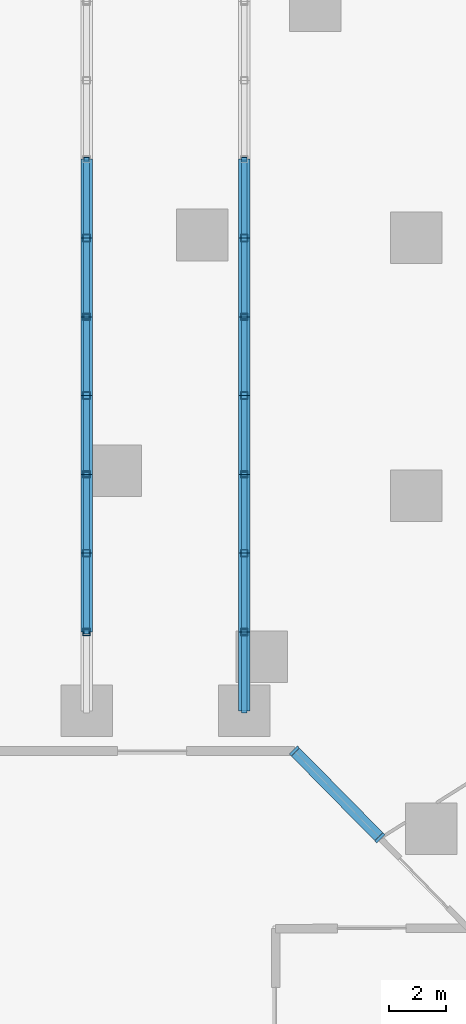
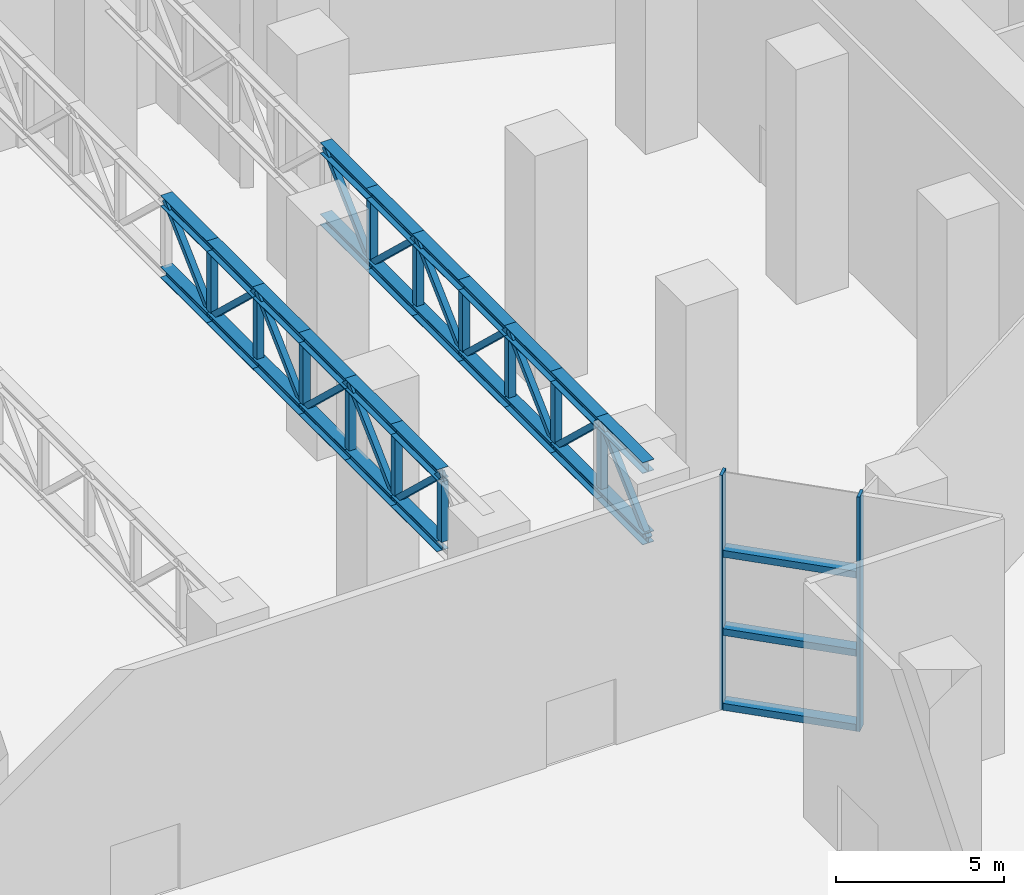
# One storey, part 10 of 40: 56 members, 1 element without a shape of its own.
"""IFC4 building model written with IfcOpenShell, lengths in metres."""

import ifcopenshell
import ifcopenshell.guid

model = None  # the IFC model being written
_history = None  # IfcOwnerHistory: only IFC2X3 demands one
_inside = {}  # id of a spatial element -> (the spatial element, [elements in it])
_under = {}  # id of a project, library or spatial element -> (it, [spatial elements below it])
_declared = {}  # id of a project -> (the project, [libraries it declares])
_typed = {}  # id of a type object -> (the type object, [elements of that type])
_made_of = {}  # id of a material, layer set ... -> (it, [elements and type objects made of it])


def new_model(schema):
    """Start an empty IFC model of exactly this schema.

    Asked for "IFC4X3", IfcOpenShell would pick the latest addendum, in which some entities
    have other attributes; the version numbers below select the first issue.
    IFC2X3 requires an IfcOwnerHistory on every rooted entity: one is made here for all.
    """
    global model, _history
    if schema == "IFC4X3":
        model = ifcopenshell.file(schema_version=(4, 3, 0, 0))
    else:
        model = ifcopenshell.file(schema=schema)
    _inside.clear()
    _under.clear()
    _declared.clear()
    _typed.clear()
    _made_of.clear()
    _history = None
    if model.schema == "IFC2X3":
        org = make("IfcOrganization", Name="unknown")
        user = make(
            "IfcPersonAndOrganization",
            ThePerson=make("IfcPerson", FamilyName="unknown"),
            TheOrganization=org,
        )
        app = make(
            "IfcApplication",
            ApplicationDeveloper=org,
            Version="unknown",
            ApplicationFullName="unknown",
            ApplicationIdentifier="unknown",
        )
        _history = make(
            "IfcOwnerHistory",
            OwningUser=user,
            OwningApplication=app,
            ChangeAction="ADDED",
            CreationDate=0,
        )
    return model


def make(cls, **values):
    """One entity of the class cls with the attributes given. An attribute that is None is left unset."""
    return model.create_entity(
        cls, **{name: value for name, value in values.items() if value is not None}
    )


def rooted(cls, **values):
    """An entity with a GlobalId (a new one), such as an element, a storey or a relation."""
    return make(cls, GlobalId=ifcopenshell.guid.new(), OwnerHistory=_history, **values)


def si_unit(unit_type, name, prefix=None):
    """IfcSIUnit, for example si_unit("LENGTHUNIT", "METRE", prefix="MILLI")."""
    return make("IfcSIUnit", UnitType=unit_type, Prefix=prefix, Name=name)


def assignment(units):
    """IfcUnitAssignment: the units of a project."""
    return None if units is None else make("IfcUnitAssignment", Units=units)


def point(xyz):
    """IfcCartesianPoint."""
    return None if xyz is None else make("IfcCartesianPoint", Coordinates=xyz)


def direction(xyz):
    """IfcDirection."""
    return None if xyz is None else make("IfcDirection", DirectionRatios=xyz)


def frame(location, z_axis=None, x_axis=None):
    """IfcAxis2Placement3D, a coordinate frame: its origin and axes. An axis left out is left unset."""
    return make(
        "IfcAxis2Placement3D",
        Location=point(location),
        Axis=direction(z_axis),
        RefDirection=direction(x_axis),
    )


def frame_2d(location, x_axis=None):
    """IfcAxis2Placement2D, a coordinate frame in the plane: its origin and x axis."""
    return make(
        "IfcAxis2Placement2D", Location=point(location), RefDirection=direction(x_axis)
    )


def origin():
    """The frame at (0, 0, 0) with its axes left unset."""
    return frame((0.0, 0.0, 0.0))


def origin_2d():
    """The frame at (0, 0) in the plane with its x axis left unset."""
    return frame_2d((0.0, 0.0))


def place(relative_to, where):
    """IfcLocalPlacement: puts the frame where relative to a parent placement (None: the world)."""
    return make(
        "IfcLocalPlacement", PlacementRelTo=relative_to, RelativePlacement=where
    )


def context(
    kind, dimensions, precision=None, world=None, true_north=None, identifier=None
):
    """IfcGeometricRepresentationContext, for example the 3D "Model" context."""
    return make(
        "IfcGeometricRepresentationContext",
        ContextIdentifier=identifier,
        ContextType=kind,
        CoordinateSpaceDimension=dimensions,
        Precision=precision,
        WorldCoordinateSystem=world,
        TrueNorth=true_north,
    )


def subcontext(parent, identifier, kind, view, scale=None):
    """IfcGeometricRepresentationSubContext, for example "Body" below "Model"."""
    return make(
        "IfcGeometricRepresentationSubContext",
        ContextIdentifier=identifier,
        ContextType=kind,
        ParentContext=parent,
        TargetScale=scale,
        TargetView=view,
    )


def project(units=None, contexts=None):
    """IfcProject with its units and contexts."""
    return rooted(
        "IfcProject",
        Name="project",
        RepresentationContexts=contexts,
        UnitsInContext=assignment(units),
    )


def spatial(cls, under=None, at=None, **own):
    """A site, building, storey or space (cls), placed at a placement, below another one or the project."""
    s = rooted(cls, ObjectPlacement=at, **own)
    if under is not None:
        _under.setdefault(under.id(), (under, []))[1].append(s)
    return s


def profile(cls, at=None, kind="AREA", **sizes):
    """A parametric profile (cls). Its sizes go by their IFC names, for example OverallWidth=200.0."""
    return make(cls, ProfileType=kind, Position=at, **sizes)


def rectangle(**sizes):
    """IfcRectangleProfileDef."""
    return profile("IfcRectangleProfileDef", **sizes)


def hollow_rectangle(**sizes):
    """IfcRectangleHollowProfileDef."""
    return profile("IfcRectangleHollowProfileDef", **sizes)


def i_section(**sizes):
    """IfcIShapeProfileDef."""
    return profile("IfcIShapeProfileDef", **sizes)


def extrude(swept, where, along, depth):
    """IfcExtrudedAreaSolid: the profile swept, set in the frame where, extruded along a direction by depth."""
    return make(
        "IfcExtrudedAreaSolid",
        SweptArea=swept,
        Position=where,
        ExtrudedDirection=direction(along),
        Depth=depth,
    )


def shape(context_of_items, identifier, shape_type, items):
    """IfcShapeRepresentation: the items that make up one representation, for example the "Body"."""
    return make(
        "IfcShapeRepresentation",
        ContextOfItems=context_of_items,
        RepresentationIdentifier=identifier,
        RepresentationType=shape_type,
        Items=items,
    )


def material(Name=None, Category=None):
    """IfcMaterial."""
    return make("IfcMaterial", Name=Name, Category=Category)


def layer(
    of_material, thickness, ventilated=None, Name=None, Category=None, Priority=None
):
    """IfcMaterialLayer: one layer of a wall or slab, of a material (None: an air gap)."""
    return make(
        "IfcMaterialLayer",
        Material=of_material,
        LayerThickness=thickness,
        IsVentilated=ventilated,
        Name=Name,
        Category=Category,
        Priority=Priority,
    )


def layer_set(layers, Name=None):
    """IfcMaterialLayerSet."""
    return make("IfcMaterialLayerSet", MaterialLayers=layers, LayerSetName=Name)


def material_profile(
    of_material, cross_section, Name=None, Category=None, Priority=None
):
    """IfcMaterialProfile: a cross section and its material."""
    return make(
        "IfcMaterialProfile",
        Name=Name,
        Material=of_material,
        Profile=cross_section,
        Priority=Priority,
        Category=Category,
    )


def profile_set(profiles, Name=None, composite=None):
    """IfcMaterialProfileSet."""
    return make(
        "IfcMaterialProfileSet",
        Name=Name,
        MaterialProfiles=profiles,
        CompositeProfile=composite,
    )


def made_of(thing, what):
    """Note that an element or type object is made of a material, layer set ...; save() writes the relation."""
    if what is not None:
        _made_of.setdefault(what.id(), (what, []))[1].append(thing)
    return thing


def type_object(cls, material=None, **own):
    """A type object (cls), such as IfcWallType, which elements share."""
    return made_of(rooted(cls, **own), material)


def element(
    cls,
    number,
    at=None,
    inside=None,
    cuts=None,
    type_object=None,
    material=None,
    context=None,
    identifier="Body",
    shape_type=None,
    held_by="IfcProductDefinitionShape",
    body=None,
    shapes=None,
    **own,
):
    """One element of the class cls, such as IfcWall. Its Tag is "e" and its number.

    at: its placement. inside: the storey or other place that contains it. cuts: it is an
    opening in that element (IfcRelVoidsElement). A single representation is given by context,
    identifier, shape_type and body (its items); several are given by shapes. held_by: the class
    of the entity that holds the representations. save() writes the other relations.
    """
    e = rooted(cls, Tag="e%d" % number, ObjectPlacement=at, **own)
    if body is not None:
        shapes = [shape(context, identifier, shape_type, body)]
    if shapes is not None:
        e.Representation = make(held_by, Representations=shapes)
    if inside is not None:
        _inside.setdefault(inside.id(), (inside, []))[1].append(e)
    if cuts is not None:
        rooted(
            "IfcRelVoidsElement", RelatingBuildingElement=cuts, RelatedOpeningElement=e
        )
    if type_object is not None:
        _typed.setdefault(type_object.id(), (type_object, []))[1].append(e)
    return made_of(e, material)


def aggregate(whole, parts):
    """IfcRelAggregates: a whole, such as a stair, and the parts it consists of."""
    return rooted("IfcRelAggregates", RelatingObject=whole, RelatedObjects=parts)


def save(model, path):
    """Write the relations noted so far, then the file.

    IfcRelAggregates (storeys below a building ...), IfcRelContainedInSpatialStructure (elements
    in a storey), IfcRelDefinesByType, IfcRelAssociatesMaterial and IfcRelDeclares: one each for
    every whole, place, type object, material and project.
    """
    for whole, parts in _under.values():
        aggregate(whole, parts)
    for where, things in _inside.values():
        rooted(
            "IfcRelContainedInSpatialStructure",
            RelatedElements=things,
            RelatingStructure=where,
        )
    for kind, things in _typed.values():
        rooted("IfcRelDefinesByType", RelatedObjects=things, RelatingType=kind)
    for what, things in _made_of.values():
        rooted("IfcRelAssociatesMaterial", RelatedObjects=things, RelatingMaterial=what)
    for by, libraries in _declared.values():
        rooted("IfcRelDeclares", RelatingContext=by, RelatedDefinitions=libraries)
    model.write(path)


model = new_model("IFC4")

# Units and contexts
model_context = context("Model", 3, precision=1e-05, world=origin(), true_north=direction((0.0, 1.0)))
body_context = subcontext(model_context, "Body", "Model", "MODEL_VIEW")
ifc_project = project(units=[si_unit("LENGTHUNIT", "METRE"), si_unit("AREAUNIT", "SQUARE_METRE"), si_unit("VOLUMEUNIT", "CUBIC_METRE"), si_unit("PLANEANGLEUNIT", "RADIAN"), si_unit("MASSUNIT", "GRAM", prefix="KILO")], contexts=[model_context])

# Site, building, storey
site_placement = place(None, origin())
site = spatial("IfcSite", under=ifc_project, at=site_placement, CompositionType="ELEMENT")
building_placement = place(site_placement, origin())
building = spatial("IfcBuilding", under=site, at=building_placement, Name="Dongbaek Canopy Tower", CompositionType="ELEMENT")
storey_placement = place(building_placement, origin())
storey = spatial("IfcBuildingStorey", under=building, at=storey_placement, Name="L00", CompositionType="ELEMENT", Elevation=0.0)

# Members
ifc_material_1 = material(Name="Steel S355", Category="steel")
ifc_material_profile_1 = material_profile(ifc_material_1, hollow_rectangle(XDim=0.199951171875, YDim=0.199951171875, WallThickness=0.009033203125, at=origin_2d()), Name="BRACE SHS 200x200x9 Steel S355")
ifc_profile_set_1 = profile_set([ifc_material_profile_1], Name="Steel S355")
member_type_1 = type_object("IfcMemberType", Name="BRACE SHS 200x200x9 Steel S355", PredefinedType="BRACE", material=ifc_profile_set_1)
for number, where, z_axis, x_axis, name in (
    (1, (-38.5, -13.75, 8.5), (0.0, 0.726633772729, -0.687025007063), (-1.0, 0.0, 0.0), "ROOFTRUSS:WW:2:D1"),
    (2, (-38.5, -11.0, 5.89990234375), (0.0, 0.726633772729, 0.687025007063), (-1.0, 0.0, 0.0), "ROOFTRUSS:WW:2:D2"),
    (3, (-38.5, -8.25, 8.5), (0.0, 0.726633772729, -0.687025007063), (-1.0, 0.0, 0.0), "ROOFTRUSS:WW:2:D3"),
    (4, (-38.5, -5.5, 5.89990234375), (0.0, 0.726633772729, 0.687025007063), (-1.0, 0.0, 0.0), "ROOFTRUSS:WW:2:D4"),
    (5, (-38.5, -2.75, 8.5), (0.0, 0.726633772729, -0.687025007063), (-1.0, 0.0, 0.0), "ROOFTRUSS:WW:2:D5"),
    (6, (-38.5, 0.0, 5.89990234375), (0.0, 0.726633772729, 0.687025007063), (-1.0, 0.0, 0.0), "ROOFTRUSS:WW:2:D6"),
    (7, (-33.0, -16.5, 5.89990234375), (0.0, 0.726633772729, 0.687025007063), (-1.0, 0.0, 0.0), "ROOFTRUSS:WW:3:D0"),
    (8, (-33.0, -13.75, 8.5), (0.0, 0.726633772729, -0.687025007063), (-1.0, 0.0, 0.0), "ROOFTRUSS:WW:3:D1"),
    (9, (-33.0, -11.0, 5.89990234375), (0.0, 0.726633772729, 0.687025007063), (-1.0, 0.0, 0.0), "ROOFTRUSS:WW:3:D2"),
    (10, (-33.0, -8.25, 8.5), (0.0, 0.726633772729, -0.687025007063), (-1.0, 0.0, 0.0), "ROOFTRUSS:WW:3:D3"),
    (11, (-33.0, -5.5, 5.89990234375), (0.0, 0.726633772729, 0.687025007063), (-1.0, 0.0, 0.0), "ROOFTRUSS:WW:3:D4"),
    (12, (-33.0, -2.75, 8.5), (0.0, 0.726633772729, -0.687025007063), (-1.0, 0.0, 0.0), "ROOFTRUSS:WW:3:D5"),
    (13, (-33.0, 0.0, 5.89990234375), (0.0, 0.726633772729, 0.687025007063), (-1.0, 0.0, 0.0), "ROOFTRUSS:WW:3:D6"),
):
    element("IfcMember", number, at=place(storey_placement, frame(where, z_axis=z_axis, x_axis=x_axis)), inside=storey, type_object=member_type_1, Name=name, PredefinedType="BRACE", context=body_context, shape_type="SweptSolid", body=[
        extrude(hollow_rectangle(XDim=0.199951171875, YDim=0.199951171875, WallThickness=0.009033203125, at=origin_2d()), origin(), (0.0, 0.0, 1.0), 3.78466796875),
    ])
ifc_material_2 = material(Name="Steel S355", Category="steel")
ifc_material_profile_2 = material_profile(ifc_material_2, i_section(OverallWidth=0.39990234375, OverallDepth=0.39990234375, WebThickness=0.012939453125, FlangeThickness=0.02099609375, FilletRadius=0.02197265625, at=origin_2d()), Name="CHORD H 400x400x13x21 Steel S355")
ifc_profile_set_2 = profile_set([ifc_material_profile_2], Name="Steel S355")
member_type_2 = type_object("IfcMemberType", Name="CHORD H 400x400x13x21 Steel S355", PredefinedType="CHORD", material=ifc_profile_set_2)
for number, where, z_axis, x_axis, name in (
    (14, (-38.5, -13.75, 5.89990234375), (0.0, 1.0, 0.0), (-1.0, 0.0, 0.0), "ROOFTRUSS:WW:2:CB1"),
    (15, (-38.5, -13.75, 8.5), (0.0, 1.0, 0.0), (-1.0, 0.0, 0.0), "ROOFTRUSS:WW:2:CT1"),
    (16, (-38.5, -11.0, 5.89990234375), (0.0, 1.0, 0.0), (-1.0, 0.0, 0.0), "ROOFTRUSS:WW:2:CB2"),
    (17, (-38.5, -11.0, 8.5), (0.0, 1.0, 0.0), (-1.0, 0.0, 0.0), "ROOFTRUSS:WW:2:CT2"),
    (18, (-38.5, -8.25, 5.89990234375), (0.0, 1.0, 0.0), (-1.0, 0.0, 0.0), "ROOFTRUSS:WW:2:CB3"),
    (19, (-38.5, -8.25, 8.5), (0.0, 1.0, 0.0), (-1.0, 0.0, 0.0), "ROOFTRUSS:WW:2:CT3"),
    (20, (-38.5, -5.5, 5.89990234375), (0.0, 1.0, 0.0), (-1.0, 0.0, 0.0), "ROOFTRUSS:WW:2:CB4"),
    (21, (-38.5, -5.5, 8.5), (0.0, 1.0, 0.0), (-1.0, 0.0, 0.0), "ROOFTRUSS:WW:2:CT4"),
    (22, (-38.5, -2.75, 5.89990234375), (0.0, 1.0, 0.0), (-1.0, 0.0, 0.0), "ROOFTRUSS:WW:2:CB5"),
    (23, (-38.5, -2.75, 8.5), (0.0, 1.0, 0.0), (-1.0, 0.0, 0.0), "ROOFTRUSS:WW:2:CT5"),
    (24, (-38.5, 0.0, 5.89990234375), (0.0, 1.0, 0.0), (-1.0, 0.0, 0.0), "ROOFTRUSS:WW:2:CB6"),
    (25, (-38.5, 0.0, 8.5), (0.0, 1.0, 0.0), (-1.0, 0.0, 0.0), "ROOFTRUSS:WW:2:CT6"),
    (26, (-33.0, -16.5, 5.89990234375), (0.0, 1.0, 0.0), (-1.0, 0.0, 0.0), "ROOFTRUSS:WW:3:CB0"),
    (27, (-33.0, -16.5, 8.5), (0.0, 1.0, 0.0), (-1.0, 0.0, 0.0), "ROOFTRUSS:WW:3:CT0"),
    (28, (-33.0, -13.75, 5.89990234375), (0.0, 1.0, 0.0), (-1.0, 0.0, 0.0), "ROOFTRUSS:WW:3:CB1"),
    (29, (-33.0, -13.75, 8.5), (0.0, 1.0, 0.0), (-1.0, 0.0, 0.0), "ROOFTRUSS:WW:3:CT1"),
    (30, (-33.0, -11.0, 5.89990234375), (0.0, 1.0, 0.0), (-1.0, 0.0, 0.0), "ROOFTRUSS:WW:3:CB2"),
    (31, (-33.0, -11.0, 8.5), (0.0, 1.0, 0.0), (-1.0, 0.0, 0.0), "ROOFTRUSS:WW:3:CT2"),
    (32, (-33.0, -8.25, 5.89990234375), (0.0, 1.0, 0.0), (-1.0, 0.0, 0.0), "ROOFTRUSS:WW:3:CB3"),
    (33, (-33.0, -8.25, 8.5), (0.0, 1.0, 0.0), (-1.0, 0.0, 0.0), "ROOFTRUSS:WW:3:CT3"),
    (34, (-33.0, -5.5, 5.89990234375), (0.0, 1.0, 0.0), (-1.0, 0.0, 0.0), "ROOFTRUSS:WW:3:CB4"),
    (35, (-33.0, -5.5, 8.5), (0.0, 1.0, 0.0), (-1.0, 0.0, 0.0), "ROOFTRUSS:WW:3:CT4"),
    (36, (-33.0, -2.75, 5.89990234375), (0.0, 1.0, 0.0), (-1.0, 0.0, 0.0), "ROOFTRUSS:WW:3:CB5"),
    (37, (-33.0, -2.75, 8.5), (0.0, 1.0, 0.0), (-1.0, 0.0, 0.0), "ROOFTRUSS:WW:3:CT5"),
    (38, (-33.0, 0.0, 5.89990234375), (0.0, 1.0, 0.0), (-1.0, 0.0, 0.0), "ROOFTRUSS:WW:3:CB6"),
    (39, (-33.0, 0.0, 8.5), (0.0, 1.0, 0.0), (-1.0, 0.0, 0.0), "ROOFTRUSS:WW:3:CT6"),
):
    element("IfcMember", number, at=place(storey_placement, frame(where, z_axis=z_axis, x_axis=x_axis)), inside=storey, type_object=member_type_2, Name=name, PredefinedType="CHORD", context=body_context, shape_type="SweptSolid", body=[
        extrude(i_section(OverallWidth=0.39990234375, OverallDepth=0.39990234375, WebThickness=0.012939453125, FlangeThickness=0.02099609375, FilletRadius=0.02197265625, at=origin_2d()), origin(), (0.0, 0.0, 1.0), 2.75),
    ])

# Curtain wall, members
ifc_material_3 = material(Name="Aluminium 6063-T6 pale anodised", Category="aluminium")
ifc_layer = layer(ifc_material_3, 0.39990234375)
ifc_layer_set = layer_set([ifc_layer], Name="CW-3 lobby double-height curtain wall")
curtain_wall_type = type_object("IfcCurtainWallType", Name="CW-3 lobby double-height curtain wall", PredefinedType="NOTDEFINED", material=ifc_layer_set)
curtain_wall_placement = place(storey_placement, origin())
curtain_wall = element("IfcCurtainWall", 40, at=curtain_wall_placement, inside=storey, type_object=curtain_wall_type, Name="CW-3 curtain wall F12.1", PredefinedType="NOTDEFINED")
ifc_material_4 = material(Name="Aluminium 6063-T6 pale anodised", Category="aluminium")
ifc_material_profile_3 = material_profile(ifc_material_4, rectangle(XDim=0.39990234375, YDim=0.10009765625, at=origin_2d()), Name="CW-3 mullion 100 x 400")
ifc_profile_set_3 = profile_set([ifc_material_profile_3], Name="Aluminium 6063-T6 pale anodised")
member_type_3 = type_object("IfcMemberType", Name="CW-3 mullion 100 x 400", PredefinedType="MULLION", material=ifc_profile_set_3)
member_1_placement = place(storey_placement, frame((-31.249755859375, -17.89990234375, 0.0), z_axis=(0.0, 0.0, 1.0), x_axis=(-0.712454511757, -0.701718297237, 0.0)))
member_1 = element("IfcMember", 41, at=member_1_placement, type_object=member_type_3, Name="CW-3 mullion F12.1.1", PredefinedType="MULLION", context=body_context, shape_type="SweptSolid", body=[
    extrude(rectangle(XDim=0.39990234375, YDim=0.10009765625, at=origin_2d()), origin(), (0.0, 0.0, 1.0), 8.550048828125),
])
member_2_placement = place(storey_placement, frame((-28.265625, -20.929931640625, 0.0), z_axis=(0.0, 0.0, 1.0), x_axis=(-0.712454511757, -0.701718297237, 0.0)))
member_2 = element("IfcMember", 42, at=member_2_placement, type_object=member_type_3, Name="CW-3 mullion F12.1.2", PredefinedType="MULLION", context=body_context, shape_type="SweptSolid", body=[
    extrude(rectangle(XDim=0.39990234375, YDim=0.10009765625, at=origin_2d()), origin(), (0.0, 0.0, 1.0), 8.550048828125),
])
ifc_material_5 = material(Name="Aluminium 6063-T6 pale anodised", Category="aluminium")
ifc_material_profile_4 = material_profile(ifc_material_5, rectangle(XDim=0.39990234375, YDim=0.25, at=origin_2d()), Name="CW-3 transom 250 x 400")
ifc_profile_set_4 = profile_set([ifc_material_profile_4], Name="Aluminium 6063-T6 pale anodised")
member_type_4 = type_object("IfcMemberType", Name="CW-3 transom 250 x 400", PredefinedType="USERDEFINED", material=ifc_profile_set_4)
member_3_placement = place(storey_placement, frame((-31.206298828125, -17.944091796875, 0.125), z_axis=(0.701705402899, -0.712467211556, 0.0), x_axis=(0.712467211556, 0.701705402899, 0.0)))
member_3 = element("IfcMember", 43, at=member_3_placement, type_object=member_type_4, Name="CW-3 transom F12.1.1.1", ObjectType="TRANSOM", PredefinedType="USERDEFINED", context=body_context, shape_type="SweptSolid", body=[
    extrude(rectangle(XDim=0.39990234375, YDim=0.25, at=origin_2d()), origin(), (0.0, 0.0, 1.0), 4.12890625),
])
member_4_placement = place(storey_placement, frame((-31.206298828125, -17.944091796875, 2.85009765625), z_axis=(0.701705402899, -0.712467211556, 0.0), x_axis=(0.712467211556, 0.701705402899, 0.0)))
member_4 = element("IfcMember", 44, at=member_4_placement, type_object=member_type_4, Name="CW-3 transom F12.1.1.2", ObjectType="TRANSOM", PredefinedType="USERDEFINED", context=body_context, shape_type="SweptSolid", body=[
    extrude(rectangle(XDim=0.39990234375, YDim=0.25, at=origin_2d()), origin(), (0.0, 0.0, 1.0), 4.12890625),
])
member_5_placement = place(storey_placement, frame((-31.206298828125, -17.944091796875, 5.699951171875), z_axis=(0.701705402899, -0.712467211556, 0.0), x_axis=(0.712467211556, 0.701705402899, 0.0)))
member_5 = element("IfcMember", 45, at=member_5_placement, type_object=member_type_4, Name="CW-3 transom F12.1.1.3", ObjectType="TRANSOM", PredefinedType="USERDEFINED", context=body_context, shape_type="SweptSolid", body=[
    extrude(rectangle(XDim=0.39990234375, YDim=0.25, at=origin_2d()), origin(), (0.0, 0.0, 1.0), 4.12890625),
])
aggregate(curtain_wall, [member_1, member_2, member_3, member_4, member_5])

# Members
ifc_material_6 = material(Name="Steel S355", Category="steel")
ifc_material_profile_5 = material_profile(ifc_material_6, hollow_rectangle(XDim=0.25, YDim=0.25, WallThickness=0.011962890625, at=origin_2d()), Name="POST SHS 250x250x12 Steel S355")
ifc_profile_set_5 = profile_set([ifc_material_profile_5], Name="Steel S355")
member_type_5 = type_object("IfcMemberType", Name="POST SHS 250x250x12 Steel S355", PredefinedType="POST", material=ifc_profile_set_5)
for number, where, z_axis, x_axis, name in (
    (46, (-38.5, -13.75, 6.10009765625), (0.0, 0.0, 1.0), (1.0, 0.0, 0.0), "ROOFTRUSS:WW:2:P1"),
    (47, (-38.5, -11.0, 6.10009765625), (0.0, 0.0, 1.0), (1.0, 0.0, 0.0), "ROOFTRUSS:WW:2:P2"),
    (48, (-38.5, -8.25, 6.10009765625), (0.0, 0.0, 1.0), (1.0, 0.0, 0.0), "ROOFTRUSS:WW:2:P3"),
    (49, (-38.5, -5.5, 6.10009765625), (0.0, 0.0, 1.0), (1.0, 0.0, 0.0), "ROOFTRUSS:WW:2:P4"),
    (50, (-38.5, -2.75, 6.10009765625), (0.0, 0.0, 1.0), (1.0, 0.0, 0.0), "ROOFTRUSS:WW:2:P5"),
    (51, (-38.5, 0.0, 6.10009765625), (0.0, 0.0, 1.0), (1.0, 0.0, 0.0), "ROOFTRUSS:WW:2:P6"),
    (52, (-33.0, -13.75, 6.10009765625), (0.0, 0.0, 1.0), (1.0, 0.0, 0.0), "ROOFTRUSS:WW:3:P1"),
    (53, (-33.0, -11.0, 6.10009765625), (0.0, 0.0, 1.0), (1.0, 0.0, 0.0), "ROOFTRUSS:WW:3:P2"),
    (54, (-33.0, -8.25, 6.10009765625), (0.0, 0.0, 1.0), (1.0, 0.0, 0.0), "ROOFTRUSS:WW:3:P3"),
    (55, (-33.0, -5.5, 6.10009765625), (0.0, 0.0, 1.0), (1.0, 0.0, 0.0), "ROOFTRUSS:WW:3:P4"),
    (56, (-33.0, -2.75, 6.10009765625), (0.0, 0.0, 1.0), (1.0, 0.0, 0.0), "ROOFTRUSS:WW:3:P5"),
    (57, (-33.0, 0.0, 6.10009765625), (0.0, 0.0, 1.0), (1.0, 0.0, 0.0), "ROOFTRUSS:WW:3:P6"),
):
    element("IfcMember", number, at=place(storey_placement, frame(where, z_axis=z_axis, x_axis=x_axis)), inside=storey, type_object=member_type_5, Name=name, PredefinedType="POST", context=body_context, shape_type="SweptSolid", body=[
        extrude(hollow_rectangle(XDim=0.25, YDim=0.25, WallThickness=0.011962890625, at=origin_2d()), origin(), (0.0, 0.0, 1.0), 2.199951171875),
    ])

save(model, "model.ifc")
